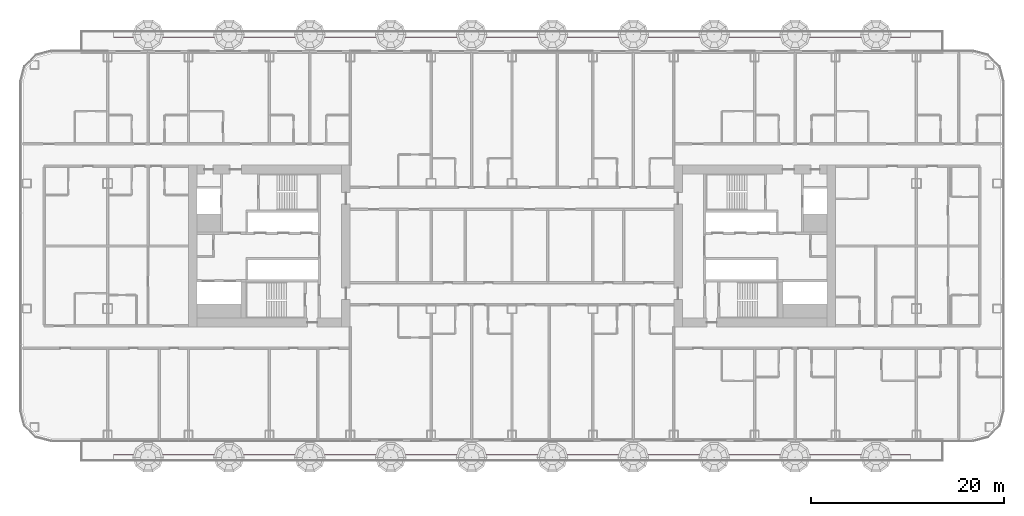
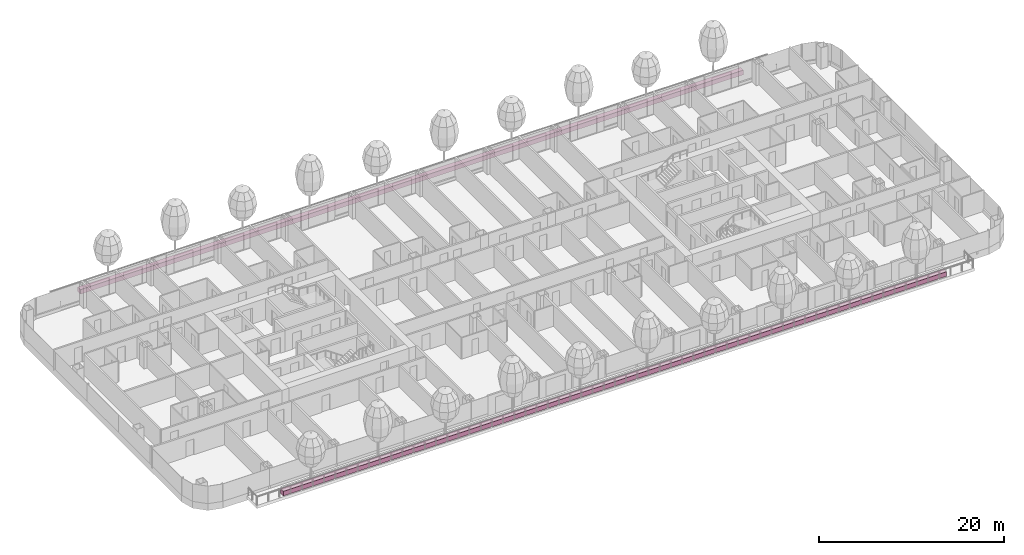
# One storey, part 31 of 36: 2 furniture elements.
"""IFC4 building model written with IfcOpenShell, lengths in metres."""

from ifc_helpers import new_model, si_unit, direction, frame, origin, origin_2d, place, context, subcontext, project, spatial, rectangle, extrude, material, type_object, element, save


model = new_model("IFC4")

# Units and contexts
model_context = context("Model", 3, precision=1e-05, world=origin(), true_north=direction((0.0, 1.0)))
body_context = subcontext(model_context, "Body", "Model", "MODEL_VIEW")
ifc_project = project(units=[si_unit("LENGTHUNIT", "METRE"), si_unit("AREAUNIT", "SQUARE_METRE"), si_unit("VOLUMEUNIT", "CUBIC_METRE"), si_unit("PLANEANGLEUNIT", "RADIAN"), si_unit("MASSUNIT", "GRAM", prefix="KILO")], contexts=[model_context])

# Site, building, storey
site_placement = place(None, origin())
site = spatial("IfcSite", under=ifc_project, at=site_placement, CompositionType="ELEMENT")
building_placement = place(site_placement, origin())
building = spatial("IfcBuilding", under=site, at=building_placement, Name="Hakoniwa Tower and Hamabe Station Hall", CompositionType="ELEMENT")
storey_placement = place(building_placement, frame((0.0, 0.0, 26.199951171875)))
storey = spatial("IfcBuildingStorey", under=building, at=storey_placement, Name="L06", CompositionType="ELEMENT", Elevation=26.199951171875)

# Furniture
ifc_material = material(Name="Aluminium 6063-T5 black anodised trough with lightweight soil", Category="aluminium")
furniture_type = type_object("IfcFurnitureType", Name="Planter 600x600", AssemblyPlace="SITE", PredefinedType="USERDEFINED", material=ifc_material)
for number, where, z_axis, x_axis, name in (
    (1, (0.0, 21.949951171875, 0.0), (0.0, 0.0, 1.0), (1.0, 0.0, 0.0), "Planter 600x600"),
    (2, (0.0, -21.949951171875, 0.0), (0.0, 0.0, 1.0), (1.0, 0.0, 0.0), "Planter 600x600"),
):
    element("IfcFurniture", number, at=place(storey_placement, frame(where, z_axis=z_axis, x_axis=x_axis)), inside=storey, type_object=furniture_type, Name=name, ObjectType="PLANTER", PredefinedType="USERDEFINED", context=body_context, shape_type="SweptSolid", body=[
        extrude(rectangle(XDim=82.800048828125, YDim=0.60009765625, at=origin_2d()), origin(), (0.0, 0.0, 1.0), 0.60009765625),
    ])

save(model, "model.ifc")
